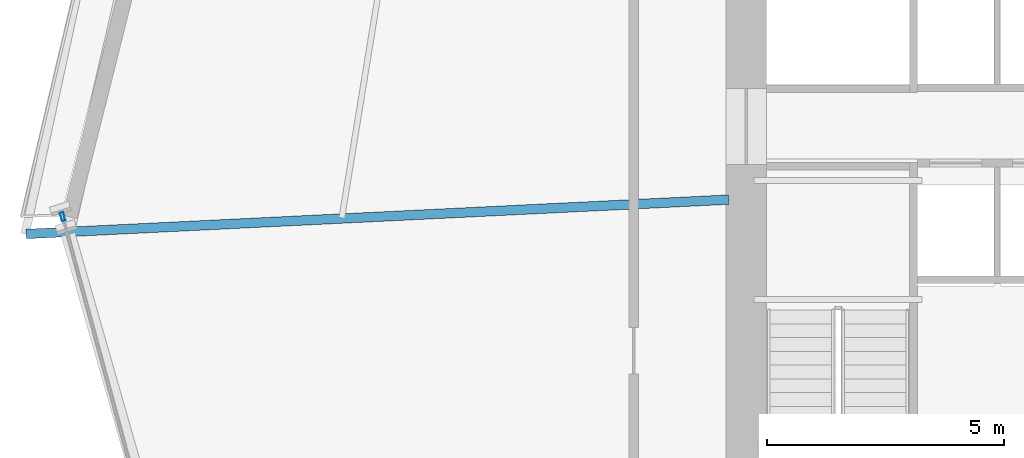
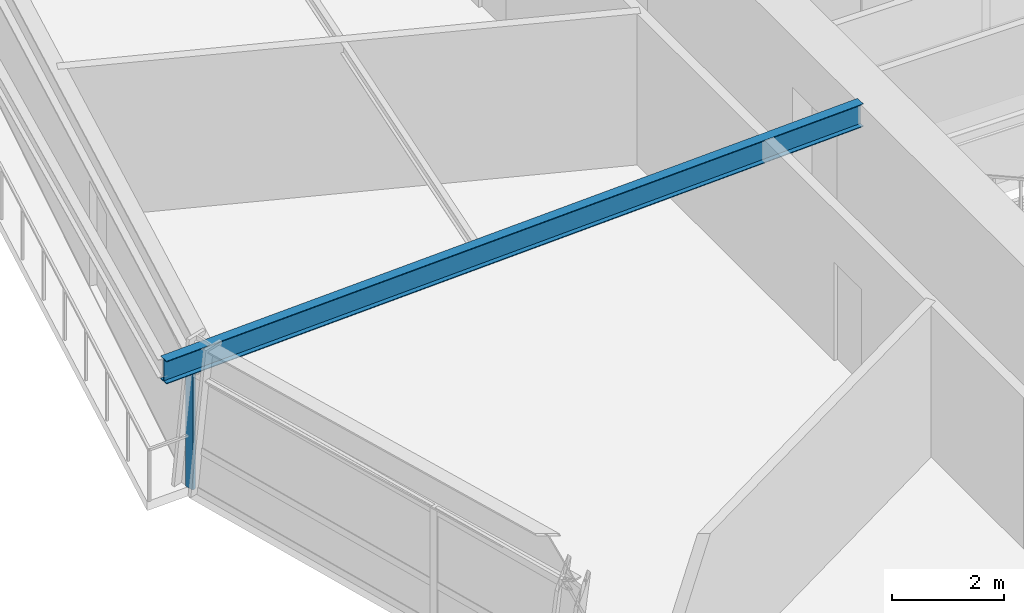
# One storey, part 6 of 20: 1 beam, 1 member, 1 element without a shape of its own.
"""IFC4 building model written with IfcOpenShell, lengths in metres."""

from ifc_helpers import new_model, si_unit, direction, frame, origin, origin_2d, place, context, subcontext, project, spatial, hollow_rectangle, i_section, extrude, source, transform, mapped, material, material_profile, profile_set, type_object, element, aggregate, save


model = new_model("IFC4")

# Units and contexts
model_context = context("Model", 3, precision=1e-05, world=origin(), true_north=direction((0.0, 1.0)))
body_context = subcontext(model_context, "Body", "Model", "MODEL_VIEW")
ifc_project = project(units=[si_unit("LENGTHUNIT", "METRE"), si_unit("AREAUNIT", "SQUARE_METRE"), si_unit("VOLUMEUNIT", "CUBIC_METRE"), si_unit("PLANEANGLEUNIT", "RADIAN"), si_unit("MASSUNIT", "GRAM", prefix="KILO")], contexts=[model_context])

# Site, building, storey
site_placement = place(None, origin())
site = spatial("IfcSite", under=ifc_project, at=site_placement, CompositionType="ELEMENT")
building_placement = place(site_placement, origin())
building = spatial("IfcBuilding", under=site, at=building_placement, Name="Olszyna Solenne Hotel", CompositionType="ELEMENT")
storey_placement = place(building_placement, frame((0.0, 0.0, 43.5)))
storey = spatial("IfcBuildingStorey", under=building, at=storey_placement, Name="L10", CompositionType="ELEMENT", Elevation=43.5)

# Beam
ifc_material_1 = material(Name="Steel S355J2", Category="steel")
ifc_material_profile_1 = material_profile(ifc_material_1, i_section(OverallWidth=0.199951171875, OverallDepth=0.5, WebThickness=0.01025390625, FlangeThickness=0.01611328125, at=origin_2d()), Name="IPE 500", Category="load-bearing")
ifc_profile_set_1 = profile_set([ifc_material_profile_1], Name="Steel S355J2")
beam_type = type_object("IfcBeamType", Name="BM-F3", PredefinedType="BEAM", material=ifc_profile_set_1)
shared_shape_1 = source(origin(), body_context, "Body", "SweptSolid", [
    extrude(i_section(OverallWidth=0.199951171875, OverallDepth=0.5, WebThickness=0.01025390625, FlangeThickness=0.01611328125, at=origin_2d()), origin(), (0.0, 0.0, 1.0), 14.828125),
])
beam_placement = place(storey_placement, frame((14.4892578125, 25.45361328125, 3.050048828125), z_axis=(0.998806912095, 0.048833926238, 0.0), x_axis=(-0.048833926238, 0.998806912095, 0.0)))
element("IfcBeam", 1, at=beam_placement, inside=storey, type_object=beam_type, Name="Radial floor girder BM-F3 B-L10-0335", PredefinedType="BEAM", context=body_context, shape_type="MappedRepresentation", body=[
    mapped(shared_shape_1, transform((0.0, 0.0, 0.0), x_axis=(1.0, 0.0, 0.0), y_axis=(0.0, 1.0, 0.0), z_axis=(0.0, 0.0, 1.0), scale=1.0)),
])

# Curtain wall, member
ifc_material_2 = material(Name="Anodised bronze aluminium", Category="aluminium")
curtain_wall_type = type_object("IfcCurtainWallType", Name="CW-SYS-2", PredefinedType="NOTDEFINED", material=ifc_material_2)
curtain_wall_placement = place(storey_placement, origin())
curtain_wall = element("IfcCurtainWall", 2, at=curtain_wall_placement, inside=storey, type_object=curtain_wall_type, Name="Unitised curtain wall CW-SYS-2 CW-L10-01", PredefinedType="NOTDEFINED")
ifc_material_profile_2 = material_profile(ifc_material_2, hollow_rectangle(XDim=0.074951171875, YDim=0.179931640625, WallThickness=0.00439453125, at=origin_2d()), Name="MULL 180x75x4.5", Category="load-bearing")
ifc_profile_set_2 = profile_set([ifc_material_profile_2], Name="Anodised bronze aluminium")
member_type = type_object("IfcMemberType", Name="CW-M2", PredefinedType="MULLION", material=ifc_profile_set_2)
shared_shape_2 = source(origin(), body_context, "Body", "SweptSolid", [
    extrude(hollow_rectangle(XDim=0.074951171875, YDim=0.179931640625, WallThickness=0.00439453125, at=origin_2d()), origin(), (0.0, 0.0, 1.0), 2.592041015625),
])
member_placement = place(storey_placement, frame((15.259521484375, 25.818359375, 0.0), z_axis=(0.0, 0.0, 1.0), x_axis=(0.965057549834, 0.262038023021, 0.0)))
member = element("IfcMember", 3, at=member_placement, type_object=member_type, Name="Curtain-wall mullion CW-M2 CM-L10-01-01", PredefinedType="MULLION", context=body_context, shape_type="MappedRepresentation", body=[
    mapped(shared_shape_2, transform((0.0, 0.0, 0.0), x_axis=(1.0, 0.0, 0.0), y_axis=(0.0, 1.0, 0.0), z_axis=(0.0, 0.0, 1.0), scale=1.0)),
])
aggregate(curtain_wall, [member])

save(model, "model.ifc")
